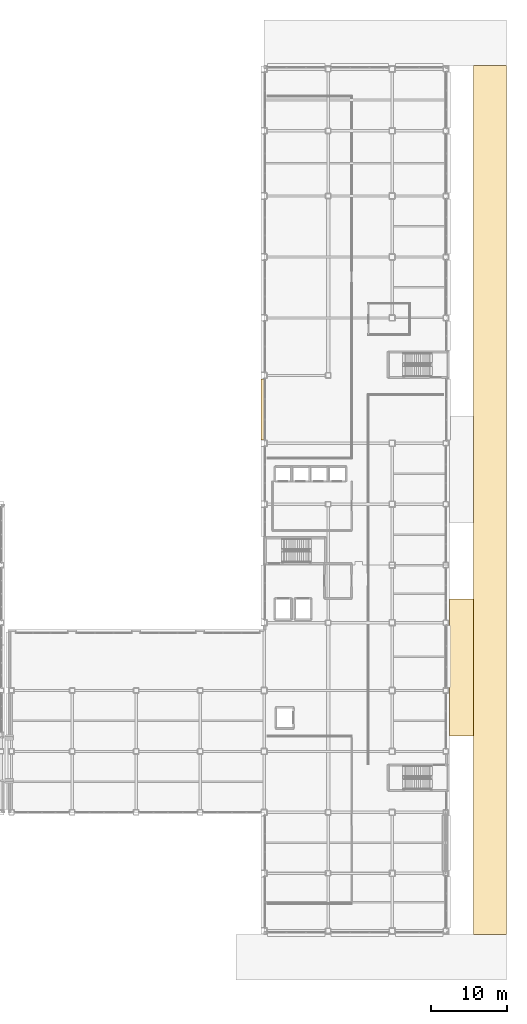
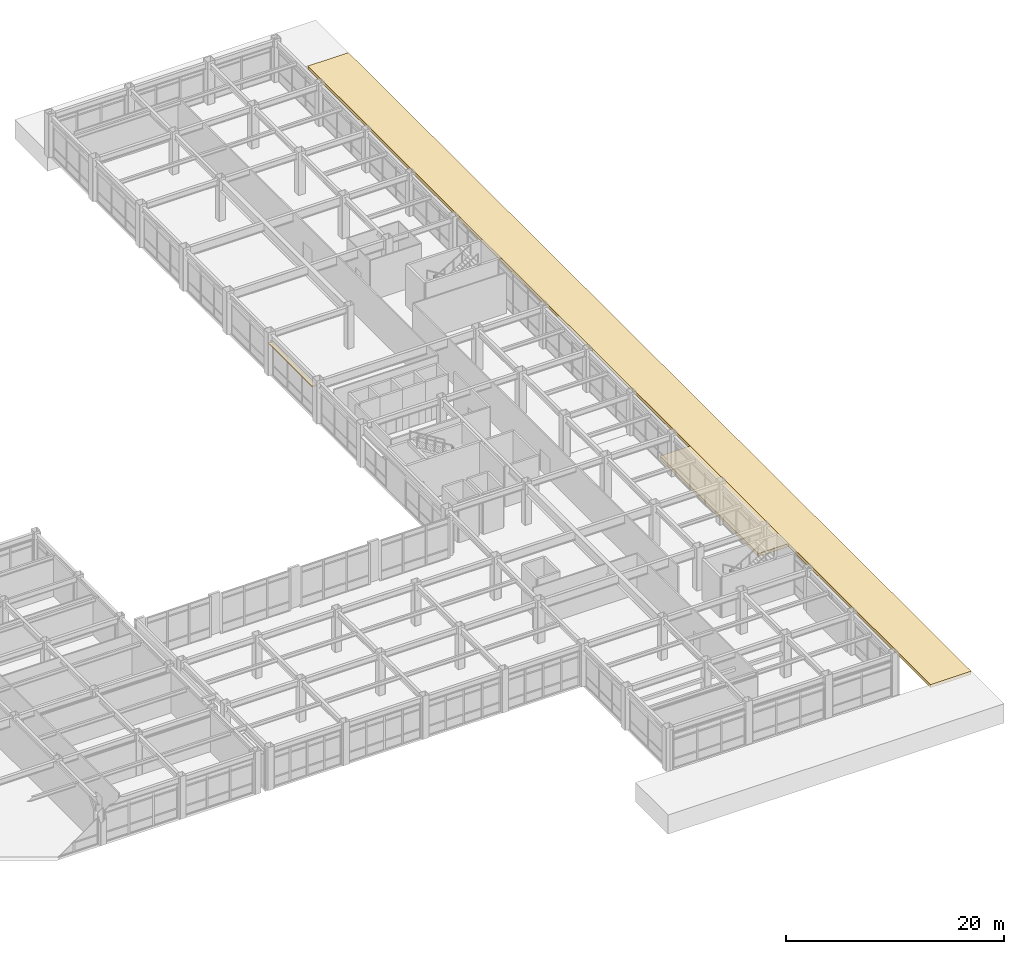
# One storey, part 169 of 172: 3 coverings.
"""IFC4 building model written with IfcOpenShell, lengths in metres."""

from ifc_helpers import new_model, si_unit, direction, frame, origin, origin_2d, place, context, subcontext, project, spatial, polyline, rectangle, outline, extrude, material, layer, layer_set, type_object, element, save


model = new_model("IFC4")

# Units and contexts
model_context = context("Model", 3, precision=1e-05, world=origin(), true_north=direction((0.0, 1.0)))
body_context = subcontext(model_context, "Body", "Model", "MODEL_VIEW")
ifc_project = project(units=[si_unit("LENGTHUNIT", "METRE"), si_unit("AREAUNIT", "SQUARE_METRE"), si_unit("VOLUMEUNIT", "CUBIC_METRE"), si_unit("PLANEANGLEUNIT", "RADIAN"), si_unit("MASSUNIT", "GRAM", prefix="KILO")], contexts=[model_context])

# Site, building, storey
site_placement = place(None, origin())
site = spatial("IfcSite", under=ifc_project, at=site_placement, CompositionType="ELEMENT")
building_placement = place(site_placement, origin())
building = spatial("IfcBuilding", under=site, at=building_placement, Name="Kazehara Bluff Congress Hotel", CompositionType="ELEMENT")
storey_placement = place(building_placement, frame((0.0, 0.0, 5.39990234375)))
storey = spatial("IfcBuildingStorey", under=building, at=storey_placement, Name="L01", CompositionType="ELEMENT", Elevation=5.39990234375)

# Coverings
ifc_material_1 = material(Name="Anodised aluminium architectural brise-soleil", Category="aluminium")
ifc_layer_1 = layer(ifc_material_1, 0.10009765625)
ifc_layer_set_1 = layer_set([ifc_layer_1], Name="Anodised aluminium architectural brise-soleil")
covering_type_1 = type_object("IfcCoveringType", Name="TP-FAC-FIN", PredefinedType="CLADDING", material=ifc_layer_set_1)
covering_1_placement = place(storey_placement, frame((143.56005859375, 68.89990234375, 3.655029296875), z_axis=(0.0, 0.0, 1.0), x_axis=(1.0, 0.0, 0.0)))
element("IfcCovering", 1, at=covering_1_placement, inside=storey, type_object=covering_type_1, Name="L01 V5 architectural sun-hood 72", PredefinedType="CLADDING", context=body_context, shape_type="SweptSolid", body=[
    extrude(rectangle(XDim=0.52001953125, YDim=8.0, at=origin_2d()), origin(), (0.0, 0.0, 1.0), 0.10009765625),
])
ifc_material_2 = material(Name="Granite stone site paving", Category="masonry")
ifc_layer_2 = layer(ifc_material_2, 0.35009765625)
ifc_layer_set_2 = layer_set([ifc_layer_2], Name="Granite stone site paving")
covering_type_2 = type_object("IfcCoveringType", Name="TP-SITE-PAV", PredefinedType="FLOORING", material=ifc_layer_set_2)
covering_2_placement = place(storey_placement, frame((0.0, 0.0, -0.349853515625)))
element("IfcCovering", 2, at=covering_2_placement, inside=storey, type_object=covering_type_2, Name="Osaka bluff granite site terrace PAV-EAST-STR", PredefinedType="FLOORING", context=body_context, shape_type="SweptSolid", body=[
    extrude(outline(polyline([(171.199951171875, 0.0), (175.5, 0.0), (175.5, 114.0), (171.199951171875, 114.0), (171.199951171875, 0.0)])), origin(), (0.0, 0.0, 1.0), 0.349853515625),
])
covering_3_placement = place(storey_placement, frame((0.0, 0.0, -0.349853515625)))
element("IfcCovering", 3, at=covering_3_placement, inside=storey, type_object=covering_type_2, Name="Osaka bluff granite site terrace PAV-EAST-BRG1", PredefinedType="FLOORING", context=body_context, shape_type="SweptSolid", body=[
    extrude(outline(polyline([(168.0, 26.0), (171.199951171875, 26.0), (171.199951171875, 44.0), (168.0, 44.0), (168.0, 26.0)])), origin(), (0.0, 0.0, 1.0), 0.349853515625),
])

save(model, "model.ifc")
